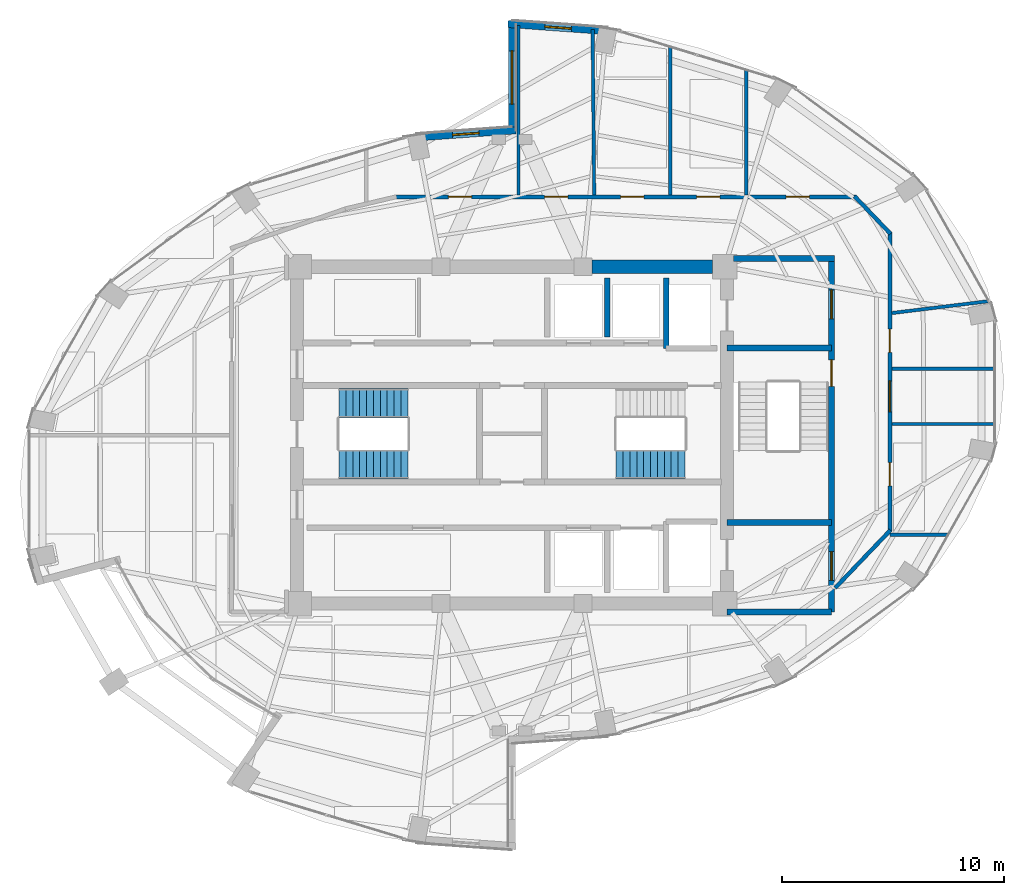
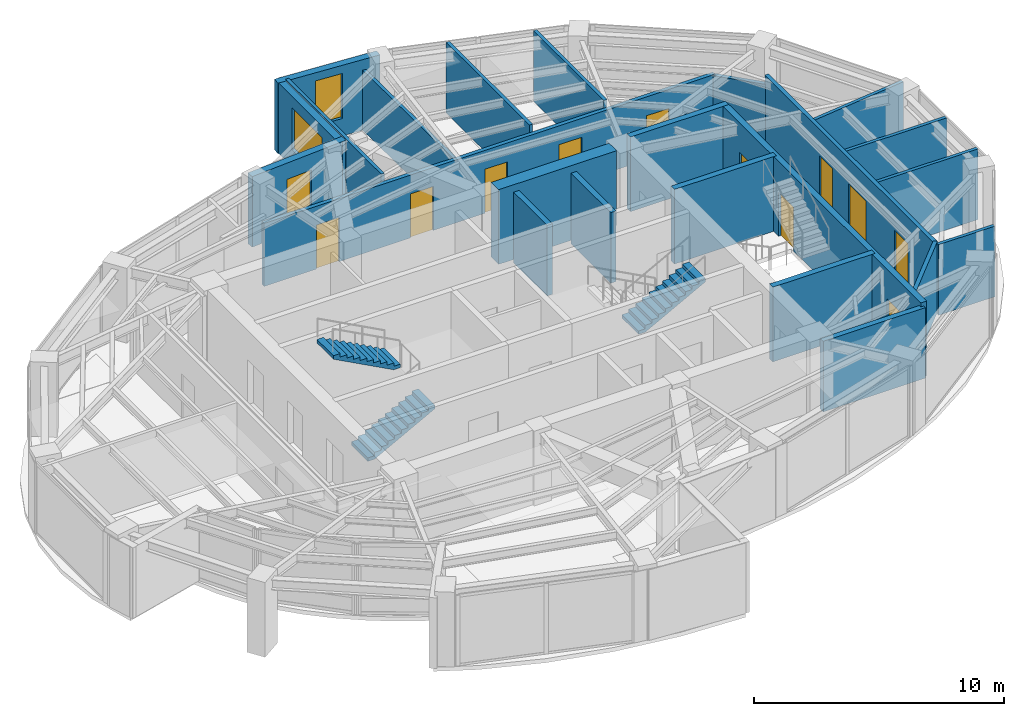
# One storey, part 19 of 22: 23 walls, 11 doors, 3 stair flights, 3 windows, 14 openings, 2 elements without a shape of their own.
"""IFC4 building model written with IfcOpenShell, lengths in metres."""

from ifc_helpers import new_model, si_unit, direction, frame, frame_2d, origin, place, context, subcontext, project, spatial, polyline, rectangle, outline, extrude, material, layer, layer_set, type_object, element, fill, aggregate, save


model = new_model("IFC4")

# Units and contexts
model_context = context("Model", 3, precision=1e-05, world=origin(), true_north=direction((0.0, 1.0)))
body_context = subcontext(model_context, "Body", "Model", "MODEL_VIEW")
ifc_project = project(units=[si_unit("LENGTHUNIT", "METRE"), si_unit("AREAUNIT", "SQUARE_METRE"), si_unit("VOLUMEUNIT", "CUBIC_METRE"), si_unit("PLANEANGLEUNIT", "RADIAN"), si_unit("MASSUNIT", "GRAM", prefix="KILO")], contexts=[model_context])

# Site, building, storey
site_placement = place(None, origin())
site = spatial("IfcSite", under=ifc_project, at=site_placement, CompositionType="ELEMENT")
building_placement = place(site_placement, origin())
building = spatial("IfcBuilding", under=site, at=building_placement, Name="Lazwardi Medical Tower", CompositionType="ELEMENT")
storey_placement = place(building_placement, frame((0.0, 0.0, 224.01611328125)))
storey = spatial("IfcBuildingStorey", under=building, at=storey_placement, Name="L58", CompositionType="ELEMENT", Elevation=224.01611328125)

# Wall, openings, doors
ifc_material_1 = material(Name="Fire-rated gypsum board on steel stud", Category="steel")
ifc_layer_1 = layer(ifc_material_1, 0.179931640625)
ifc_layer_set_1 = layer_set([ifc_layer_1], Name="Fire-rated gypsum board on steel stud")
wall_type_1 = type_object("IfcWallType", Name="WL-COR-180", PredefinedType="PARTITIONING", material=ifc_layer_set_1)
wall_1_placement = place(storey_placement, frame((30.709716796875, 38.75, 0.0), z_axis=(0.0, 0.0, 1.0), x_axis=(1.0, 0.0, 0.0)))
wall_1 = element("IfcWall", 1, at=wall_1_placement, inside=storey, type_object=wall_type_1, Name="L58 Corridor partition 3", PredefinedType="PARTITIONING", context=body_context, shape_type="SweptSolid", body=[
    extrude(rectangle(XDim=20.8154296875, YDim=0.179931640625, at=frame_2d((10.40771484375, 0.0))), origin(), (0.0, 0.0, 1.0), 3.072998046875),
])
opening_1_placement = place(wall_1_placement, frame((17.65380859375, 0.0, 0.0)))
opening_1 = element("IfcOpeningElement", 2, at=opening_1_placement, cuts=wall_1, Name="Opening D-L58-014", PredefinedType="OPENING", context=body_context, shape_type="SweptSolid", body=[
    extrude(rectangle(XDim=1.050048828125, YDim=2.14990234375, at=frame_2d((0.52490234375, 1.074951171875))), frame((0.0, 0.099853515625, 0.0), z_axis=(0.0, -1.0, 0.0), x_axis=(1.0, 0.0, 0.0)), (0.0, 0.0, 1.0), 0.199951171875),
])
opening_2_placement = place(wall_1_placement, frame((13.6201171875, 0.0, 0.0)))
opening_2 = element("IfcOpeningElement", 3, at=opening_2_placement, cuts=wall_1, Name="Opening D-L58-015", PredefinedType="OPENING", context=body_context, shape_type="SweptSolid", body=[
    extrude(rectangle(XDim=1.050048828125, YDim=2.14990234375, at=frame_2d((0.52490234375, 1.074951171875))), frame((0.0, 0.099853515625, 0.0), z_axis=(0.0, -1.0, 0.0), x_axis=(1.0, 0.0, 0.0)), (0.0, 0.0, 1.0), 0.199951171875),
])
opening_3_placement = place(wall_1_placement, frame((10.189697265625, 0.0, 0.0)))
opening_3 = element("IfcOpeningElement", 4, at=opening_3_placement, cuts=wall_1, Name="Opening D-L58-016", PredefinedType="OPENING", context=body_context, shape_type="SweptSolid", body=[
    extrude(rectangle(XDim=1.050048828125, YDim=2.14990234375, at=frame_2d((0.52490234375, 1.074951171875))), frame((0.0, 0.099853515625, 0.0), z_axis=(0.0, -1.0, 0.0), x_axis=(1.0, 0.0, 0.0)), (0.0, 0.0, 1.0), 0.199951171875),
])
opening_4_placement = place(wall_1_placement, frame((6.764892578125, 0.0, 0.0)))
opening_4 = element("IfcOpeningElement", 5, at=opening_4_placement, cuts=wall_1, Name="Opening D-L58-017", PredefinedType="OPENING", context=body_context, shape_type="SweptSolid", body=[
    extrude(rectangle(XDim=1.050048828125, YDim=2.14990234375, at=frame_2d((0.52490234375, 1.074951171875))), frame((0.0, 0.099853515625, 0.0), z_axis=(0.0, -1.0, 0.0), x_axis=(1.0, 0.0, 0.0)), (0.0, 0.0, 1.0), 0.199951171875),
])
opening_5_placement = place(wall_1_placement, frame((2.424072265625, 0.0, 0.0)))
opening_5 = element("IfcOpeningElement", 6, at=opening_5_placement, cuts=wall_1, Name="Opening D-L58-018", PredefinedType="OPENING", context=body_context, shape_type="SweptSolid", body=[
    extrude(rectangle(XDim=1.050048828125, YDim=2.14990234375, at=frame_2d((0.52490234375, 1.074951171875))), frame((0.0, 0.099853515625, 0.0), z_axis=(0.0, -1.0, 0.0), x_axis=(1.0, 0.0, 0.0)), (0.0, 0.0, 1.0), 0.199951171875),
])
ifc_material_2 = material(Name="Anti-microbial laminate hospital leaf")
door_type_1 = type_object("IfcDoorType", Name="DR-CLN-1050", OperationType="NOTDEFINED", PredefinedType="DOOR", material=ifc_material_2)
door_1_placement = place(opening_1_placement, origin())
door_1 = element("IfcDoor", 7, at=door_1_placement, inside=storey, type_object=door_type_1, Name="L58 Outpatient Consultation Suite Door 05", OperationType="SINGLE_SWING_RIGHT", OverallHeight=2.14990234375, OverallWidth=1.050048828125, PredefinedType="DOOR", context=body_context, shape_type="SweptSolid", body=[
    extrude(rectangle(XDim=1.050048828125, YDim=2.14990234375, at=frame_2d((0.52490234375, 1.074951171875))), frame((0.0, 0.02490234375, 0.0), z_axis=(0.0, -1.0, 0.0), x_axis=(1.0, 0.0, 0.0)), (0.0, 0.0, 1.0), 0.050048828125),
])
fill(opening_1, door_1)
door_2_placement = place(opening_2_placement, origin())
door_2 = element("IfcDoor", 8, at=door_2_placement, inside=storey, type_object=door_type_1, Name="L58 Outpatient Consultation Suite Door 06", OperationType="SINGLE_SWING_LEFT", OverallHeight=2.14990234375, OverallWidth=1.050048828125, PredefinedType="DOOR", context=body_context, shape_type="SweptSolid", body=[
    extrude(rectangle(XDim=1.050048828125, YDim=2.14990234375, at=frame_2d((0.52490234375, 1.074951171875))), frame((0.0, 0.02490234375, 0.0), z_axis=(0.0, -1.0, 0.0), x_axis=(1.0, 0.0, 0.0)), (0.0, 0.0, 1.0), 0.050048828125),
])
fill(opening_2, door_2)
door_3_placement = place(opening_3_placement, origin())
door_3 = element("IfcDoor", 9, at=door_3_placement, inside=storey, type_object=door_type_1, Name="L58 Outpatient Consultation Suite Door 07", OperationType="SINGLE_SWING_RIGHT", OverallHeight=2.14990234375, OverallWidth=1.050048828125, PredefinedType="DOOR", context=body_context, shape_type="SweptSolid", body=[
    extrude(rectangle(XDim=1.050048828125, YDim=2.14990234375, at=frame_2d((0.52490234375, 1.074951171875))), frame((0.0, 0.02490234375, 0.0), z_axis=(0.0, -1.0, 0.0), x_axis=(1.0, 0.0, 0.0)), (0.0, 0.0, 1.0), 0.050048828125),
])
fill(opening_3, door_3)
door_4_placement = place(opening_4_placement, origin())
door_4 = element("IfcDoor", 10, at=door_4_placement, inside=storey, type_object=door_type_1, Name="L58 Outpatient Consultation Suite Door 08", OperationType="SINGLE_SWING_LEFT", OverallHeight=2.14990234375, OverallWidth=1.050048828125, PredefinedType="DOOR", context=body_context, shape_type="SweptSolid", body=[
    extrude(rectangle(XDim=1.050048828125, YDim=2.14990234375, at=frame_2d((0.52490234375, 1.074951171875))), frame((0.0, 0.02490234375, 0.0), z_axis=(0.0, -1.0, 0.0), x_axis=(1.0, 0.0, 0.0)), (0.0, 0.0, 1.0), 0.050048828125),
])
fill(opening_4, door_4)
door_5_placement = place(opening_5_placement, origin())
door_5 = element("IfcDoor", 11, at=door_5_placement, inside=storey, type_object=door_type_1, Name="L58 Outpatient Consultation Suite Door 09", OperationType="SINGLE_SWING_RIGHT", OverallHeight=2.14990234375, OverallWidth=1.050048828125, PredefinedType="DOOR", context=body_context, shape_type="SweptSolid", body=[
    extrude(rectangle(XDim=1.050048828125, YDim=2.14990234375, at=frame_2d((0.52490234375, 1.074951171875))), frame((0.0, 0.02490234375, 0.0), z_axis=(0.0, -1.0, 0.0), x_axis=(1.0, 0.0, 0.0)), (0.0, 0.0, 1.0), 0.050048828125),
])
fill(opening_5, door_5)

# Wall
wall_2_placement = place(storey_placement, frame((51.45751953125, 38.77880859375, 0.0), z_axis=(0.0, 0.0, 1.0), x_axis=(0.691359830363, -0.722510612352, 0.0)))
element("IfcWall", 12, at=wall_2_placement, inside=storey, type_object=wall_type_1, Name="L58 Corridor partition 4", PredefinedType="PARTITIONING", context=body_context, shape_type="SweptSolid", body=[
    extrude(rectangle(XDim=2.34326171875, YDim=0.179931640625, at=frame_2d((1.171630859375, 0.0))), origin(), (0.0, 0.0, 1.0), 3.032958984375),
])

# Wall, openings, doors
wall_3_placement = place(storey_placement, frame((53.050048828125, 37.154541015625, 0.0), z_axis=(0.0, 0.0, 1.0), x_axis=(0.0, -1.0, 0.0)))
wall_3 = element("IfcWall", 13, at=wall_3_placement, inside=storey, type_object=wall_type_1, Name="L58 Corridor partition 5", PredefinedType="PARTITIONING", context=body_context, shape_type="SweptSolid", body=[
    extrude(rectangle(XDim=13.509033203125, YDim=0.179931640625, at=frame_2d((6.75439453125, 0.0))), origin(), (0.0, 0.0, 1.0), 3.447998046875),
])
opening_6_placement = place(wall_3_placement, frame((10.397705078125, 0.0, 0.0)))
opening_6 = element("IfcOpeningElement", 14, at=opening_6_placement, cuts=wall_3, Name="Opening D-L58-011", PredefinedType="OPENING", context=body_context, shape_type="SweptSolid", body=[
    extrude(rectangle(XDim=1.050048828125, YDim=2.14990234375, at=frame_2d((0.52490234375, 1.074951171875))), frame((0.0, 0.099853515625, 0.0), z_axis=(0.0, -1.0, 0.0), x_axis=(1.0, 0.0, 0.0)), (0.0, 0.0, 1.0), 0.199951171875),
])
opening_7_placement = place(wall_3_placement, frame((6.70458984375, 0.0, 0.0)))
opening_7 = element("IfcOpeningElement", 15, at=opening_7_placement, cuts=wall_3, Name="Opening D-L58-012", PredefinedType="OPENING", context=body_context, shape_type="SweptSolid", body=[
    extrude(rectangle(XDim=1.39990234375, YDim=2.199951171875, at=frame_2d((0.699951171875, 1.10009765625))), frame((0.0, 0.099853515625, 0.0), z_axis=(0.0, -1.0, 0.0), x_axis=(1.0, 0.0, 0.0)), (0.0, 0.0, 1.0), 0.199951171875),
])
opening_8_placement = place(wall_3_placement, frame((4.374755859375, 0.0, 0.0)))
opening_8 = element("IfcOpeningElement", 16, at=opening_8_placement, cuts=wall_3, Name="Opening D-L58-013", PredefinedType="OPENING", context=body_context, shape_type="SweptSolid", body=[
    extrude(rectangle(XDim=1.050048828125, YDim=2.14990234375, at=frame_2d((0.52490234375, 1.074951171875))), frame((0.0, 0.099853515625, 0.0), z_axis=(0.0, -1.0, 0.0), x_axis=(1.0, 0.0, 0.0)), (0.0, 0.0, 1.0), 0.199951171875),
])
door_type_2 = type_object("IfcDoorType", Name="DR-BED-1400", OperationType="NOTDEFINED", PredefinedType="DOOR", material=ifc_material_2)
door_6_placement = place(opening_7_placement, origin())
door_6 = element("IfcDoor", 17, at=door_6_placement, inside=storey, type_object=door_type_2, Name="L58 Rehabilitation Gymnasium Door 03", OperationType="SINGLE_SWING_RIGHT", OverallHeight=2.199951171875, OverallWidth=1.39990234375, PredefinedType="DOOR", context=body_context, shape_type="SweptSolid", body=[
    extrude(rectangle(XDim=1.39990234375, YDim=2.199951171875, at=frame_2d((0.699951171875, 1.10009765625))), frame((0.0, 0.02490234375, 0.0), z_axis=(0.0, -1.0, 0.0), x_axis=(1.0, 0.0, 0.0)), (0.0, 0.0, 1.0), 0.050048828125),
])
fill(opening_7, door_6)
door_7_placement = place(opening_6_placement, origin())
door_7 = element("IfcDoor", 18, at=door_7_placement, inside=storey, type_object=door_type_1, Name="L58 Ward Dietetic Pantry Door 02", OperationType="SINGLE_SWING_LEFT", OverallHeight=2.14990234375, OverallWidth=1.050048828125, PredefinedType="DOOR", context=body_context, shape_type="SweptSolid", body=[
    extrude(rectangle(XDim=1.050048828125, YDim=2.14990234375, at=frame_2d((0.52490234375, 1.074951171875))), frame((0.0, 0.02490234375, 0.0), z_axis=(0.0, -1.0, 0.0), x_axis=(1.0, 0.0, 0.0)), (0.0, 0.0, 1.0), 0.050048828125),
])
fill(opening_6, door_7)
door_8_placement = place(opening_8_placement, origin())
door_8 = element("IfcDoor", 19, at=door_8_placement, inside=storey, type_object=door_type_1, Name="L58 Clinical Specialist Office Door 04", OperationType="SINGLE_SWING_LEFT", OverallHeight=2.14990234375, OverallWidth=1.050048828125, PredefinedType="DOOR", context=body_context, shape_type="SweptSolid", body=[
    extrude(rectangle(XDim=1.050048828125, YDim=2.14990234375, at=frame_2d((0.52490234375, 1.074951171875))), frame((0.0, 0.02490234375, 0.0), z_axis=(0.0, -1.0, 0.0), x_axis=(1.0, 0.0, 0.0)), (0.0, 0.0, 1.0), 0.050048828125),
])
fill(opening_8, door_8)

# Walls
wall_4_placement = place(storey_placement, frame((53.07763671875, 23.71435546875, 0.0), z_axis=(0.0, 0.0, 1.0), x_axis=(-0.691353379446, -0.722516785085, 0.0)))
element("IfcWall", 20, at=wall_4_placement, inside=storey, type_object=wall_type_1, Name="L58 Corridor partition 6", PredefinedType="PARTITIONING", context=body_context, shape_type="SweptSolid", body=[
    extrude(rectangle(XDim=3.603759765625, YDim=0.179931640625, at=frame_2d((1.8017578125, 0.0))), origin(), (0.0, 0.0, 1.0), 3.447998046875),
])
ifc_material_3 = material(Name="Concrete C60/75", Category="concrete")
ifc_layer_2 = layer(ifc_material_3, 0.60009765625)
ifc_layer_set_2 = layer_set([ifc_layer_2], Name="Concrete C60/75")
wall_type_2 = type_object("IfcWallType", Name="WL-CORE-600", PredefinedType="SHEAR", material=ifc_layer_set_2)
wall_5_placement = place(storey_placement, frame((39.60009765625, 35.60009765625, 0.0), z_axis=(0.0, 0.0, 1.0), x_axis=(1.0, 0.0, 0.0)))
element("IfcWall", 21, at=wall_5_placement, inside=storey, type_object=wall_type_2, Name="Core wall CW-S3 N3 L58", PredefinedType="SHEAR", context=body_context, shape_type="SweptSolid", body=[
    extrude(rectangle(XDim=5.449951171875, YDim=0.60009765625, at=frame_2d((2.72509765625, 0.0))), origin(), (0.0, 0.0, 1.0), 3.64794921875),
])

# Wall, opening, window
ifc_material_4 = material(Name="Precast concrete C45/55", Category="concrete")
ifc_layer_3 = layer(ifc_material_4, 0.320068359375)
ifc_layer_set_3 = layer_set([ifc_layer_3], Name="Precast concrete C45/55")
wall_type_3 = type_object("IfcWallType", Name="WL-IWAN-320", PredefinedType="SOLIDWALL", material=ifc_layer_set_3)
wall_6_placement = place(storey_placement, frame((40.349609375, 46.226318359375, 0.0), z_axis=(0.0, 0.0, 1.0), x_axis=(-0.997409061056, 0.071938619141, 0.0)))
wall_6 = element("IfcWall", 22, at=wall_6_placement, inside=storey, type_object=wall_type_3, Name="L58 Iwan Portal Return Wall NE_ret", PredefinedType="SOLIDWALL", context=body_context, shape_type="SweptSolid", body=[
    extrude(rectangle(XDim=4.540771484375, YDim=0.320068359375, at=frame_2d((2.2705078125, 0.0))), origin(), (0.0, 0.0, 1.0), 3.447998046875),
])
opening_9_placement = place(wall_6_placement, frame((1.67041015625, 0.0, 0.85009765625)))
opening_9 = element("IfcOpeningElement", 23, at=opening_9_placement, cuts=wall_6, Name="Opening WN-01", PredefinedType="OPENING", context=body_context, shape_type="SweptSolid", body=[
    extrude(rectangle(XDim=1.199951171875, YDim=2.199951171875, at=frame_2d((0.60009765625, 1.10009765625))), frame((0.0, 0.169921875, 0.0), z_axis=(0.0, -1.0, 0.0), x_axis=(1.0, 0.0, 0.0)), (0.0, 0.0, 1.0), 0.340087890625),
])
ifc_material_5 = material(Name="Low-e bronze solar control double glazing", Category="glass")
window_type_1 = type_object("IfcWindowType", Name="WIN-IW-1200", PartitioningType="SINGLE_PANEL", PredefinedType="WINDOW", material=ifc_material_5)
window_1_placement = place(opening_9_placement, origin())
window_1 = element("IfcWindow", 24, at=window_1_placement, inside=storey, type_object=window_type_1, Name="L58 Iwan Slot Window NE_ret", OverallHeight=2.199951171875, OverallWidth=1.199951171875, PartitioningType="SINGLE_PANEL", PredefinedType="WINDOW", context=body_context, shape_type="SweptSolid", body=[
    extrude(rectangle(XDim=1.199951171875, YDim=2.199951171875, at=frame_2d((0.60009765625, 1.10009765625))), frame((0.0, 0.030029296875, 0.0), z_axis=(0.0, -1.0, 0.0), x_axis=(1.0, 0.0, 0.0)), (0.0, 0.0, 1.0), 0.06005859375),
])
fill(opening_9, window_1)

wall_7_placement = place(storey_placement, frame((36.17919921875, 41.7529296875, 0.0), z_axis=(0.0, 0.0, 1.0), x_axis=(-0.997408782787, -0.071942477163, 0.0)))
wall_7 = element("IfcWall", 25, at=wall_7_placement, inside=storey, type_object=wall_type_3, Name="L58 Iwan Portal Return Wall NW_ret", PredefinedType="SOLIDWALL", context=body_context, shape_type="SweptSolid", body=[
    extrude(rectangle(XDim=4.54052734375, YDim=0.320068359375, at=frame_2d((2.270263671875, 0.0))), origin(), (0.0, 0.0, 1.0), 3.447998046875),
])
opening_10_placement = place(wall_7_placement, frame((1.67041015625, 0.0, 0.85009765625)))
opening_10 = element("IfcOpeningElement", 26, at=opening_10_placement, cuts=wall_7, Name="Opening WN-04", PredefinedType="OPENING", context=body_context, shape_type="SweptSolid", body=[
    extrude(rectangle(XDim=1.199951171875, YDim=1.800048828125, at=frame_2d((0.60009765625, 0.89990234375))), frame((0.0, 0.169921875, 0.0), z_axis=(0.0, -1.0, 0.0), x_axis=(1.0, 0.0, 0.0)), (0.0, 0.0, 1.0), 0.340087890625),
])
window_type_2 = type_object("IfcWindowType", Name="WIN-DRUM-1200", PartitioningType="SINGLE_PANEL", PredefinedType="WINDOW", material=ifc_material_5)
window_2_placement = place(opening_10_placement, origin())
window_2 = element("IfcWindow", 27, at=window_2_placement, inside=storey, type_object=window_type_2, Name="L58 Iwan Slot Window NW_ret", OverallHeight=1.800048828125, OverallWidth=1.199951171875, PartitioningType="SINGLE_PANEL", PredefinedType="WINDOW", context=body_context, shape_type="SweptSolid", body=[
    extrude(rectangle(XDim=1.199951171875, YDim=1.800048828125, at=frame_2d((0.60009765625, 0.89990234375))), frame((0.0, 0.030029296875, 0.0), z_axis=(0.0, -1.0, 0.0), x_axis=(1.0, 0.0, 0.0)), (0.0, 0.0, 1.0), 0.06005859375),
])
fill(opening_10, window_2)

wall_8_placement = place(storey_placement, frame((36.0, 46.699951171875, 0.0), z_axis=(0.0, 0.0, 1.0), x_axis=(0.0, -1.0, 0.0)))
wall_8 = element("IfcWall", 28, at=wall_8_placement, inside=storey, type_object=wall_type_3, Name="L58 Turquoise Tilework Iwan Seam Wall N_seam", PredefinedType="SOLIDWALL", context=body_context, shape_type="SweptSolid", body=[
    extrude(rectangle(XDim=5.119873046875, YDim=0.320068359375, at=frame_2d((2.56005859375, 0.0))), origin(), (0.0, 0.0, 1.0), 3.447998046875),
])
opening_11_placement = place(wall_8_placement, frame((1.360107421875, 0.0, 0.840087890625)))
opening_11 = element("IfcOpeningElement", 29, at=opening_11_placement, cuts=wall_8, Name="Opening WN-02", PredefinedType="OPENING", context=body_context, shape_type="SweptSolid", body=[
    extrude(rectangle(XDim=2.39990234375, YDim=2.0400390625, at=frame_2d((1.199951171875, 1.02001953125))), frame((0.0, 0.169921875, 0.0), z_axis=(0.0, -1.0, 0.0), x_axis=(1.0, 0.0, 0.0)), (0.0, 0.0, 1.0), 0.340087890625),
])
window_type_3 = type_object("IfcWindowType", Name="WIN-IW-2400", PartitioningType="SINGLE_PANEL", PredefinedType="WINDOW", material=ifc_material_5)
window_3_placement = place(opening_11_placement, origin())
window_3 = element("IfcWindow", 30, at=window_3_placement, inside=storey, type_object=window_type_3, Name="L58 Iwan Seam Window N_seam", OverallHeight=2.0400390625, OverallWidth=2.39990234375, PartitioningType="SINGLE_PANEL", PredefinedType="WINDOW", context=body_context, shape_type="SweptSolid", body=[
    extrude(rectangle(XDim=2.39990234375, YDim=2.0400390625, at=frame_2d((1.199951171875, 1.02001953125))), frame((0.0, 0.030029296875, 0.0), z_axis=(0.0, -1.0, 0.0), x_axis=(1.0, 0.0, 0.0)), (0.0, 0.0, 1.0), 0.06005859375),
])
fill(opening_11, window_3)

# Walls
ifc_material_6 = material(Name="Autoclaved aerated concrete blockwork", Category="masonry")
ifc_layer_4 = layer(ifc_material_6, 0.25)
ifc_layer_set_4 = layer_set([ifc_layer_4], Name="Autoclaved aerated concrete blockwork")
wall_type_4 = type_object("IfcWallType", Name="WL-SHAFT-250", PredefinedType="SOLIDWALL", material=ifc_layer_set_4)
wall_9_placement = place(storey_placement, frame((42.949951171875, 31.919921875, 0.0), z_axis=(0.0, 0.0, 1.0), x_axis=(0.0, 1.0, 0.0)))
element("IfcWall", 31, at=wall_9_placement, inside=storey, type_object=wall_type_4, Name="L58 FL-01 West shaft wall", PredefinedType="SOLIDWALL", context=body_context, shape_type="SweptSolid", body=[
    extrude(rectangle(XDim=3.18017578125, YDim=0.25, at=frame_2d((1.590087890625, 0.0))), origin(), (0.0, 0.0, 1.0), 3.447998046875),
])
wall_10_placement = place(storey_placement, frame((40.300048828125, 32.419921875, 0.0), z_axis=(0.0, 0.0, 1.0), x_axis=(0.0, 1.0, 0.0)))
element("IfcWall", 32, at=wall_10_placement, inside=storey, type_object=wall_type_4, Name="L58 North hoistway divider", PredefinedType="SOLIDWALL", context=body_context, shape_type="SweptSolid", body=[
    extrude(rectangle(XDim=2.68017578125, YDim=0.25, at=frame_2d((1.340087890625, 0.0))), origin(), (0.0, 0.0, 1.0), 3.447998046875),
])
wall_11_placement = place(storey_placement, frame((45.699951171875, 20.02001953125, 0.0), z_axis=(0.0, 0.0, 1.0), x_axis=(1.0, 0.0, 0.0)))
element("IfcWall", 33, at=wall_11_placement, inside=storey, type_object=wall_type_4, Name="L58 FFL-S South wall", PredefinedType="SOLIDWALL", context=body_context, shape_type="SweptSolid", body=[
    extrude(rectangle(XDim=4.715087890625, YDim=0.25, at=frame_2d((2.357421875, 0.0))), origin(), (0.0, 0.0, 1.0), 3.447998046875),
])

# Wall, openings, doors
ifc_material_7 = material(Name="Concrete C50/60", Category="concrete")
ifc_layer_5 = layer(ifc_material_7, 0.27001953125)
ifc_layer_set_5 = layer_set([ifc_layer_5], Name="Concrete C50/60")
wall_type_5 = type_object("IfcWallType", Name="WL-STR-250", PredefinedType="SHEAR", material=ifc_layer_set_5)
wall_12_placement = place(storey_placement, frame((50.4150390625, 35.844970703125, 0.0), z_axis=(0.0, 0.0, 1.0), x_axis=(0.0, -1.0, 0.0)))
wall_12 = element("IfcWall", 34, at=wall_12_placement, inside=storey, type_object=wall_type_5, Name="L58 East ST3 & FFL shear wall SW-S1", PredefinedType="SHEAR", context=body_context, shape_type="SweptSolid", body=[
    extrude(rectangle(XDim=15.824951171875, YDim=0.27001953125, at=frame_2d((7.91259765625, 0.0))), origin(), (0.0, 0.0, 1.0), 3.64794921875),
])
opening_12_placement = place(wall_12_placement, frame((4.445068359375, 0.0, 0.0)))
opening_12 = element("IfcOpeningElement", 35, at=opening_12_placement, cuts=wall_12, Name="Opening D-L58-022", PredefinedType="OPENING", context=body_context, shape_type="SweptSolid", body=[
    extrude(rectangle(XDim=1.199951171875, YDim=2.14990234375, at=frame_2d((0.60009765625, 1.074951171875))), frame((0.0, 0.14501953125, 0.0), z_axis=(0.0, -1.0, 0.0), x_axis=(1.0, 0.0, 0.0)), (0.0, 0.0, 1.0), 0.2900390625),
])
opening_13_placement = place(wall_12_placement, frame((1.294921875, 0.0, 0.0)))
opening_13 = element("IfcOpeningElement", 36, at=opening_13_placement, cuts=wall_12, Name="Opening D-L58-006", PredefinedType="OPENING", context=body_context, shape_type="SweptSolid", body=[
    extrude(rectangle(XDim=1.300048828125, YDim=2.199951171875, at=frame_2d((0.64990234375, 1.10009765625))), frame((0.0, 0.14501953125, 0.0), z_axis=(0.0, -1.0, 0.0), x_axis=(1.0, 0.0, 0.0)), (0.0, 0.0, 1.0), 0.2900390625),
])
opening_14_placement = place(wall_12_placement, frame((13.094970703125, 0.0, 0.0)))
opening_14 = element("IfcOpeningElement", 37, at=opening_14_placement, cuts=wall_12, Name="Opening D-L58-007", PredefinedType="OPENING", context=body_context, shape_type="SweptSolid", body=[
    extrude(rectangle(XDim=1.300048828125, YDim=2.199951171875, at=frame_2d((0.64990234375, 1.10009765625))), frame((0.0, 0.14501953125, 0.0), z_axis=(0.0, -1.0, 0.0), x_axis=(1.0, 0.0, 0.0)), (0.0, 0.0, 1.0), 0.2900390625),
])
ifc_material_8 = material(Name="Fire-rated steel leaf and frame", Category="steel")
door_type_3 = type_object("IfcDoorType", Name="DR-FFL-1300", OperationType="NOTDEFINED", PredefinedType="DOOR", material=ifc_material_8)
door_9_placement = place(opening_13_placement, origin())
door_9 = element("IfcDoor", 38, at=door_9_placement, inside=storey, type_object=door_type_3, Name="L58 Fire-Fighting Lobby North Door", OperationType="SINGLE_SWING_RIGHT", OverallHeight=2.199951171875, OverallWidth=1.300048828125, PredefinedType="DOOR", context=body_context, shape_type="SweptSolid", body=[
    extrude(rectangle(XDim=1.300048828125, YDim=2.199951171875, at=frame_2d((0.64990234375, 1.10009765625))), frame((0.0, 0.02490234375, 0.0), z_axis=(0.0, -1.0, 0.0), x_axis=(1.0, 0.0, 0.0)), (0.0, 0.0, 1.0), 0.050048828125),
])
fill(opening_13, door_9)
door_10_placement = place(opening_14_placement, origin())
door_10 = element("IfcDoor", 39, at=door_10_placement, inside=storey, type_object=door_type_3, Name="L58 Fire-Fighting Lobby South Door", OperationType="SINGLE_SWING_LEFT", OverallHeight=2.199951171875, OverallWidth=1.300048828125, PredefinedType="DOOR", context=body_context, shape_type="SweptSolid", body=[
    extrude(rectangle(XDim=1.300048828125, YDim=2.199951171875, at=frame_2d((0.64990234375, 1.10009765625))), frame((0.0, 0.02490234375, 0.0), z_axis=(0.0, -1.0, 0.0), x_axis=(1.0, 0.0, 0.0)), (0.0, 0.0, 1.0), 0.050048828125),
])
fill(opening_14, door_10)
door_type_4 = type_object("IfcDoorType", Name="DR-STR-1200", OperationType="NOTDEFINED", PredefinedType="DOOR", material=ifc_material_8)
door_11_placement = place(opening_12_placement, origin())
door_11 = element("IfcDoor", 40, at=door_11_placement, inside=storey, type_object=door_type_4, Name="L58 Exit Stair ST3 Door", OperationType="SINGLE_SWING_LEFT", OverallHeight=2.14990234375, OverallWidth=1.199951171875, PredefinedType="DOOR", context=body_context, shape_type="SweptSolid", body=[
    extrude(rectangle(XDim=1.199951171875, YDim=2.14990234375, at=frame_2d((0.60009765625, 1.074951171875))), frame((0.0, 0.02490234375, 0.0), z_axis=(0.0, -1.0, 0.0), x_axis=(1.0, 0.0, 0.0)), (0.0, 0.0, 1.0), 0.050048828125),
])
fill(opening_12, door_11)

# Walls
wall_13_placement = place(storey_placement, frame((46.0, 35.97998046875, 0.0), z_axis=(0.0, 0.0, 1.0), x_axis=(1.0, 0.0, 0.0)))
element("IfcWall", 41, at=wall_13_placement, inside=storey, type_object=wall_type_5, Name="L58 FFL-N North shear wall SW-S1", PredefinedType="SHEAR", context=body_context, shape_type="SweptSolid", body=[
    extrude(rectangle(XDim=4.550048828125, YDim=0.27001953125, at=frame_2d((2.27490234375, 0.0))), origin(), (0.0, 0.0, 1.0), 3.64794921875),
])
for number, where, z_axis, x_axis, name in (
    (42, (45.699951171875, 31.93505859375, 0.0), (0.0, 0.0, 1.0), (1.0, 0.0, 0.0), "L58 ST3 North shear shaft wall SW-S1"),
    (43, (45.699951171875, 24.06494140625, 0.0), (0.0, 0.0, 1.0), (1.0, 0.0, 0.0), "L58 ST3 South shear shaft wall SW-S1"),
):
    element("IfcWall", number, at=place(storey_placement, frame(where, z_axis=z_axis, x_axis=x_axis)), inside=storey, type_object=wall_type_5, Name=name, PredefinedType="SHEAR", context=body_context, shape_type="SweptSolid", body=[
        extrude(rectangle(XDim=4.715087890625, YDim=0.27001953125, at=frame_2d((2.357421875, 0.0))), origin(), (0.0, 0.0, 1.0), 3.64794921875),
    ])
ifc_material_9 = material(Name="Acoustic gypsum board partition")
ifc_layer_6 = layer(ifc_material_9, 0.14990234375)
ifc_layer_set_6 = layer_set([ifc_layer_6], Name="Acoustic gypsum board partition")
wall_type_6 = type_object("IfcWallType", Name="WL-WRD-150", PredefinedType="PARTITIONING", material=ifc_layer_set_6)
wall_14_placement = place(storey_placement, frame((53.05859375, 23.5, 0.0), z_axis=(0.0, 0.0, 1.0), x_axis=(1.0, 0.0, 0.0)))
element("IfcWall", 44, at=wall_14_placement, inside=storey, type_object=wall_type_6, Name="L58 Room partition 2", PredefinedType="PARTITIONING", context=body_context, shape_type="SweptSolid", body=[
    extrude(rectangle(XDim=2.611572265625, YDim=0.14990234375, at=frame_2d((1.3056640625, 0.0))), origin(), (0.0, 0.0, 1.0), 3.447998046875),
])
for number, where, z_axis, x_axis, name in (
    (45, (53.139892578125, 28.5, 0.0), (0.0, 0.0, 1.0), (1.0, 0.0, 0.0), "L58 Room partition 3"),
    (46, (53.139892578125, 31.0, 0.0), (0.0, 0.0, 1.0), (1.0, 0.0, 0.0), "L58 Room partition 4"),
):
    element("IfcWall", number, at=place(storey_placement, frame(where, z_axis=z_axis, x_axis=x_axis)), inside=storey, type_object=wall_type_6, Name=name, PredefinedType="PARTITIONING", context=body_context, shape_type="SweptSolid", body=[
        extrude(rectangle(XDim=4.6318359375, YDim=0.14990234375, at=frame_2d((2.31591796875, 0.0))), origin(), (0.0, 0.0, 1.0), 3.447998046875),
    ])
wall_15_placement = place(storey_placement, frame((53.139404296875, 33.509033203125, 0.0), z_axis=(0.0, 0.0, 1.0), x_axis=(0.992571001818, 0.121666784083, 0.0)))
element("IfcWall", 47, at=wall_15_placement, inside=storey, type_object=wall_type_6, Name="L58 Room partition 5", PredefinedType="PARTITIONING", context=body_context, shape_type="SweptSolid", body=[
    extrude(rectangle(XDim=4.41650390625, YDim=0.14990234375, at=frame_2d((2.208251953125, 0.0))), origin(), (0.0, 0.0, 1.0), 3.447998046875),
])
wall_16_placement = place(storey_placement, frame((36.2900390625, 38.840087890625, 0.0), z_axis=(0.0, 0.0, 1.0), x_axis=(0.0, 1.0, 0.0)))
element("IfcWall", 48, at=wall_16_placement, inside=storey, type_object=wall_type_6, Name="L58 Room partition 7", PredefinedType="PARTITIONING", context=body_context, shape_type="SweptSolid", body=[
    extrude(rectangle(XDim=7.647216796875, YDim=0.14990234375, at=frame_2d((3.82373046875, 0.0))), origin(), (0.0, 0.0, 1.0), 3.447998046875),
])
wall_17_placement = place(storey_placement, frame((39.709228515625, 38.840087890625, 0.0), z_axis=(0.0, 0.0, 1.0), x_axis=(-0.009590393625, 0.999954011118, 0.0)))
element("IfcWall", 49, at=wall_17_placement, inside=storey, type_object=wall_type_6, Name="L58 Room partition 8", PredefinedType="PARTITIONING", context=body_context, shape_type="SweptSolid", body=[
    extrude(rectangle(XDim=7.458740234375, YDim=0.14990234375, at=frame_2d((3.7294921875, 0.0))), origin(), (0.0, 0.0, 1.0), 2.932861328125),
])
wall_18_placement = place(storey_placement, frame((43.139892578125, 38.840087890625, 0.0), z_axis=(0.0, 0.0, 1.0), x_axis=(0.0, 1.0, 0.0)))
element("IfcWall", 50, at=wall_18_placement, inside=storey, type_object=wall_type_6, Name="L58 Room partition 9", PredefinedType="PARTITIONING", context=body_context, shape_type="SweptSolid", body=[
    extrude(rectangle(XDim=6.66162109375, YDim=0.14990234375, at=frame_2d((3.330810546875, 0.0))), origin(), (0.0, 0.0, 1.0), 3.447998046875),
])
wall_19_placement = place(storey_placement, frame((46.570068359375, 38.840087890625, 0.0), z_axis=(0.0, 0.0, 1.0), x_axis=(0.0, 1.0, 0.0)))
element("IfcWall", 51, at=wall_19_placement, inside=storey, type_object=wall_type_6, Name="L58 Room partition 10", PredefinedType="PARTITIONING", context=body_context, shape_type="SweptSolid", body=[
    extrude(rectangle(XDim=5.6201171875, YDim=0.14990234375, at=frame_2d((2.81005859375, 0.0))), origin(), (0.0, 0.0, 1.0), 3.447998046875),
])

# Stair, stair flights
ifc_material_10 = material(Name="Concrete C45/55", Category="concrete")
stair_type = type_object("IfcStairType", Name="STR-WRD", PredefinedType="HALF_TURN_STAIR", material=ifc_material_10)
stair_1_placement = place(storey_placement, origin())
stair_1 = element("IfcStair", 52, at=stair_1_placement, inside=storey, type_object=stair_type, Name="L58 Protected Exit Stair ST1", PredefinedType="HALF_TURN_STAIR")
stair_flight_type = type_object("IfcStairFlightType", Name="FLT-WRD", PredefinedType="STRAIGHT", material=ifc_material_10)
stair_flight_1_placement = place(storey_placement, frame((28.199951171875, 26.679931640625, 0.0), z_axis=(0.0, 0.0, 1.0), x_axis=(1.0, 0.0, 0.0)))
stair_flight_1 = element("IfcStairFlight", 53, at=stair_flight_1_placement, type_object=stair_flight_type, Name="ST1 flight 1", NumberOfRisers=11, NumberOfTreads=10, PredefinedType="STRAIGHT", RiserHeight=0.165818182, TreadLength=0.31, context=body_context, shape_type="SweptSolid", body=[
    extrude(outline(polyline([(0.0, 0.0), (0.0, 0.165771484375), (0.31005859375, 0.165771484375), (0.31005859375, 0.33154296875), (0.6201171875, 0.33154296875), (0.6201171875, 0.49755859375), (0.929931640625, 0.49755859375), (0.929931640625, 0.663330078125), (1.239990234375, 0.663330078125), (1.239990234375, 0.8291015625), (1.550048828125, 0.8291015625), (1.550048828125, 0.994873046875), (1.860107421875, 0.994873046875), (1.860107421875, 1.16064453125), (2.169921875, 1.16064453125), (2.169921875, 1.32666015625), (2.47998046875, 1.32666015625), (2.47998046875, 1.492431640625), (2.7900390625, 1.492431640625), (2.7900390625, 1.658203125), (3.10009765625, 1.658203125), (3.10009765625, 1.823974609375), (3.10009765625, 1.48828125), (0.31787109375, 0.0), (0.0, 0.0)])), frame((0.0, 0.66015625, 0.0), z_axis=(0.0, -1.0, 0.0), x_axis=(1.0, 0.0, 0.0)), (0.0, 0.0, 1.0), 1.320068359375),
])
stair_flight_2_placement = place(storey_placement, frame((31.300048828125, 29.43994140625, 1.823974609375), z_axis=(0.0, 0.0, 1.0), x_axis=(-1.0, 0.0, 0.0)))
stair_flight_2 = element("IfcStairFlight", 54, at=stair_flight_2_placement, type_object=stair_flight_type, Name="ST1 flight 2", NumberOfRisers=11, NumberOfTreads=10, PredefinedType="STRAIGHT", RiserHeight=0.165818182, TreadLength=0.31, context=body_context, shape_type="SweptSolid", body=[
    extrude(outline(polyline([(0.0, 0.0), (0.0, 0.165771484375), (0.31005859375, 0.165771484375), (0.31005859375, 0.33154296875), (0.6201171875, 0.33154296875), (0.6201171875, 0.49755859375), (0.929931640625, 0.49755859375), (0.929931640625, 0.663330078125), (1.239990234375, 0.663330078125), (1.239990234375, 0.8291015625), (1.550048828125, 0.8291015625), (1.550048828125, 0.994873046875), (1.860107421875, 0.994873046875), (1.860107421875, 1.16064453125), (2.169921875, 1.16064453125), (2.169921875, 1.32666015625), (2.47998046875, 1.32666015625), (2.47998046875, 1.492431640625), (2.7900390625, 1.492431640625), (2.7900390625, 1.658203125), (3.10009765625, 1.658203125), (3.10009765625, 1.823974609375), (3.10009765625, 1.48828125), (0.31787109375, 0.0), (0.0, 0.0)])), frame((0.0, 0.66015625, 0.0), z_axis=(0.0, -1.0, 0.0), x_axis=(1.0, 0.0, 0.0)), (0.0, 0.0, 1.0), 1.320068359375),
])
aggregate(stair_1, [stair_flight_1, stair_flight_2])

# Stair, stair flight
stair_2_placement = place(storey_placement, origin())
stair_2 = element("IfcStair", 55, at=stair_2_placement, inside=storey, type_object=stair_type, Name="L58 Protected Exit Stair ST2", PredefinedType="HALF_TURN_STAIR")
stair_flight_3_placement = place(storey_placement, frame((40.699951171875, 26.679931640625, 1.823974609375), z_axis=(0.0, 0.0, 1.0), x_axis=(1.0, 0.0, 0.0)))
stair_flight_3 = element("IfcStairFlight", 56, at=stair_flight_3_placement, type_object=stair_flight_type, Name="ST2 flight 2", NumberOfRisers=11, NumberOfTreads=10, PredefinedType="STRAIGHT", RiserHeight=0.165818182, TreadLength=0.31, context=body_context, shape_type="SweptSolid", body=[
    extrude(outline(polyline([(0.0, 0.0), (0.0, 0.165771484375), (0.31005859375, 0.165771484375), (0.31005859375, 0.33154296875), (0.6201171875, 0.33154296875), (0.6201171875, 0.49755859375), (0.929931640625, 0.49755859375), (0.929931640625, 0.663330078125), (1.239990234375, 0.663330078125), (1.239990234375, 0.8291015625), (1.550048828125, 0.8291015625), (1.550048828125, 0.994873046875), (1.860107421875, 0.994873046875), (1.860107421875, 1.16064453125), (2.169921875, 1.16064453125), (2.169921875, 1.32666015625), (2.47998046875, 1.32666015625), (2.47998046875, 1.492431640625), (2.7900390625, 1.492431640625), (2.7900390625, 1.658203125), (3.10009765625, 1.658203125), (3.10009765625, 1.823974609375), (3.10009765625, 1.48828125), (0.31787109375, 0.0), (0.0, 0.0)])), frame((0.0, 0.66015625, 0.0), z_axis=(0.0, -1.0, 0.0), x_axis=(1.0, 0.0, 0.0)), (0.0, 0.0, 1.0), 1.320068359375),
])
aggregate(stair_2, [stair_flight_3])

save(model, "model.ifc")
